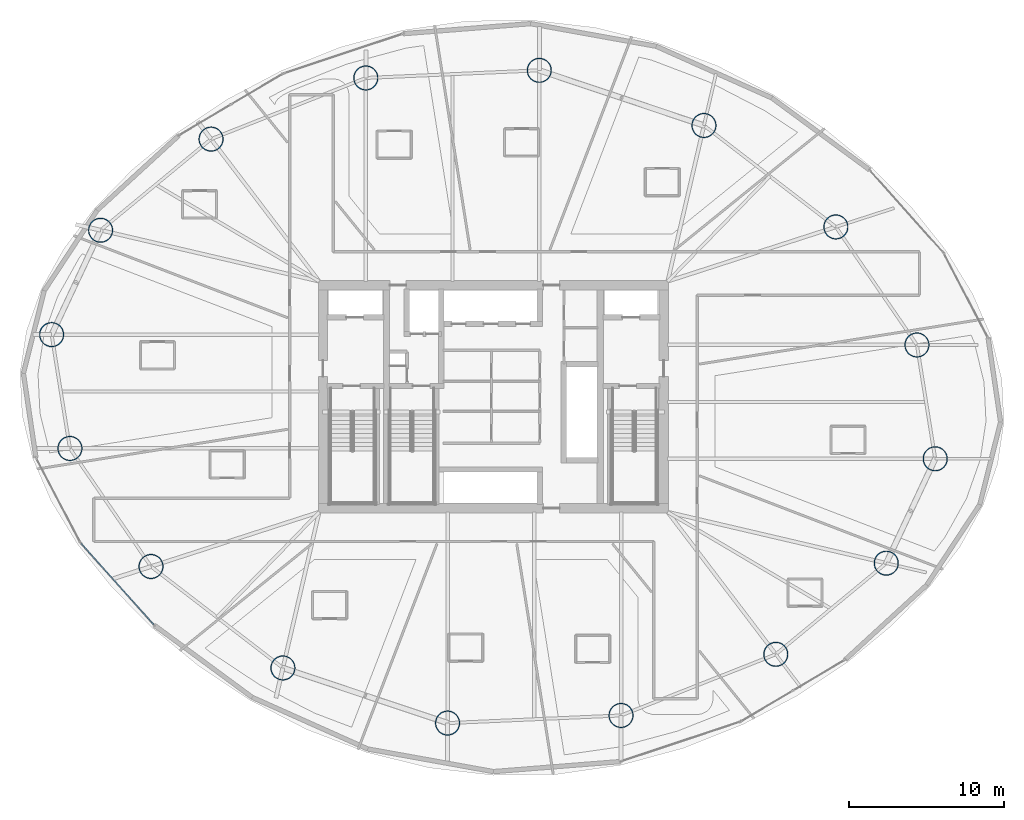
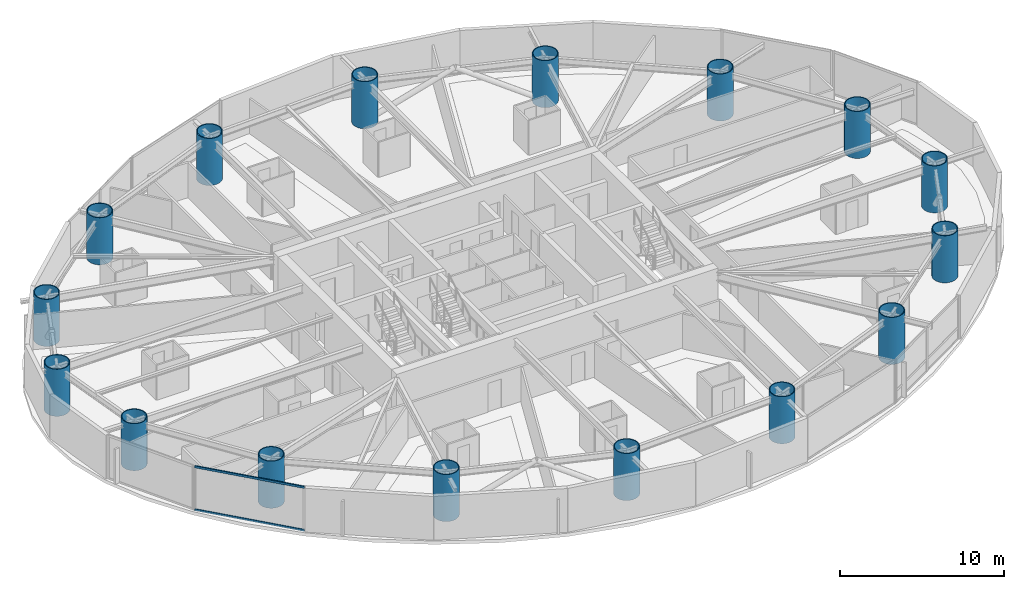
# One storey, part 1 of 25: 16 columns, 2 members, 1 element without a shape of its own.
"""IFC4 building model written with IfcOpenShell, lengths in metres."""

from ifc_helpers import new_model, si_unit, direction, frame, origin, origin_2d, place, context, subcontext, project, spatial, hollow_rectangle, hollow_circle, extrude, material, layer, layer_set, material_profile, profile_set, type_object, element, aggregate, save


model = new_model("IFC4")

# Units and contexts
model_context = context("Model", 3, precision=1e-05, world=origin(), true_north=direction((0.0, 1.0)))
body_context = subcontext(model_context, "Body", "Model", "MODEL_VIEW")
ifc_project = project(units=[si_unit("LENGTHUNIT", "METRE"), si_unit("AREAUNIT", "SQUARE_METRE"), si_unit("VOLUMEUNIT", "CUBIC_METRE"), si_unit("PLANEANGLEUNIT", "RADIAN"), si_unit("MASSUNIT", "GRAM", prefix="KILO")], contexts=[model_context])

# Site, building, storey
site_placement = place(None, origin())
site = spatial("IfcSite", under=ifc_project, at=site_placement, CompositionType="ELEMENT")
building_placement = place(site_placement, origin())
building = spatial("IfcBuilding", under=site, at=building_placement, Name="Bramvorn Convention Spire", CompositionType="ELEMENT")
storey_placement = place(building_placement, frame((0.0, 0.0, 48.39990234375)))
storey = spatial("IfcBuildingStorey", under=building, at=storey_placement, Name="L09", CompositionType="ELEMENT", Elevation=48.39990234375)

# Columns
ifc_material_1 = material(Name="Steel CSA G40.21 Grade 350 (350W)", Category="steel")
ifc_material_profile_1 = material_profile(ifc_material_1, hollow_circle(Radius=0.800048828125, WallThickness=0.06005859375, at=origin_2d()))
ifc_profile_set_1 = profile_set([ifc_material_profile_1], Name="Steel CSA G40.21 Grade 350 (350W) - CFT1600X60")
column_type = type_object("IfcColumnType", Name="COL-CFT1600X60", PredefinedType="COLUMN", material=ifc_profile_set_1)
for number, where, z_axis, x_axis, name in (
    (1, (66.519775390625, 21.99169921875, 0.0), (0.0, 0.0, 1.0), (1.0, 0.0, 0.0), "L09 composite CFT mega-column MC01"),
    (2, (65.338623046875, 29.340087890625, 0.0), (0.0, 0.0, 1.0), (1.0, 0.0, 0.0), "L09 composite CFT mega-column MC02"),
    (3, (60.105224609375, 36.960205078125, 0.0), (0.0, 0.0, 1.0), (1.0, 0.0, 0.0), "L09 composite CFT mega-column MC03"),
    (4, (51.59033203125, 43.509033203125, 0.0), (0.0, 0.0, 1.0), (1.0, 0.0, 0.0), "L09 composite CFT mega-column MC04"),
    (5, (40.9609375, 47.06884765625, 0.0), (0.0, 0.0, 1.0), (1.0, 0.0, 0.0), "L09 composite CFT mega-column MC05"),
    (6, (29.76220703125, 46.57666015625, 0.0), (0.0, 0.0, 1.0), (1.0, 0.0, 0.0), "L09 composite CFT mega-column MC06"),
    (7, (19.772216796875, 42.628662109375, 0.0), (0.0, 0.0, 1.0), (1.0, 0.0, 0.0), "L09 composite CFT mega-column MC07"),
    (8, (12.64111328125, 36.746337890625, 0.0), (0.0, 0.0, 1.0), (1.0, 0.0, 0.0), "L09 composite CFT mega-column MC08"),
    (9, (9.480224609375, 30.00830078125, 0.0), (0.0, 0.0, 1.0), (1.0, 0.0, 0.0), "L09 composite CFT mega-column MC09"),
    (10, (10.661376953125, 22.659912109375, 0.0), (0.0, 0.0, 1.0), (1.0, 0.0, 0.0), "L09 composite CFT mega-column MC10"),
    (11, (15.894775390625, 15.039794921875, 0.0), (0.0, 0.0, 1.0), (1.0, 0.0, 0.0), "L09 composite CFT mega-column MC11"),
    (12, (24.40966796875, 8.490966796875, 0.0), (0.0, 0.0, 1.0), (1.0, 0.0, 0.0), "L09 composite CFT mega-column MC12"),
    (13, (35.0390625, 4.93115234375, 0.0), (0.0, 0.0, 1.0), (1.0, 0.0, 0.0), "L09 composite CFT mega-column MC13"),
    (14, (46.23779296875, 5.42333984375, 0.0), (0.0, 0.0, 1.0), (1.0, 0.0, 0.0), "L09 composite CFT mega-column MC14"),
    (15, (56.227783203125, 9.371337890625, 0.0), (0.0, 0.0, 1.0), (1.0, 0.0, 0.0), "L09 composite CFT mega-column MC15"),
    (16, (63.35888671875, 15.253662109375, 0.0), (0.0, 0.0, 1.0), (1.0, 0.0, 0.0), "L09 composite CFT mega-column MC16"),
):
    element("IfcColumn", number, at=place(storey_placement, frame(where, z_axis=z_axis, x_axis=x_axis)), inside=storey, type_object=column_type, Name=name, PredefinedType="COLUMN", context=body_context, shape_type="SweptSolid", body=[
        extrude(hollow_circle(Radius=0.800048828125, WallThickness=0.06005859375, at=origin_2d()), origin(), (0.0, 0.0, 1.0), 3.5),
    ])

# Curtain wall, members
ifc_material_2 = material(Name="Anodised Bronze Unitised Curtain Wall", Category="aluminium")
ifc_layer = layer(ifc_material_2, 0.179931640625)
ifc_layer_set = layer_set([ifc_layer], Name="Anodised Bronze Unitised Curtain Wall - CW-HTL-FRIT")
curtain_wall_type = type_object("IfcCurtainWallType", Name="CW-HTL-FRIT", PredefinedType="USERDEFINED", material=ifc_layer_set)
curtain_wall_placement = place(storey_placement, origin())
curtain_wall = element("IfcCurtainWall", 17, at=curtain_wall_placement, inside=storey, type_object=curtain_wall_type, Name="L09 fritted glass curtain wall 15", ObjectType="UNITISED CURTAIN WALL", PredefinedType="USERDEFINED")
ifc_material_3 = material(Name="Anodised Bronze Aluminium 6063-T6", Category="aluminium")
ifc_material_profile_2 = material_profile(ifc_material_3, hollow_rectangle(XDim=0.080078125, YDim=0.159912109375, WallThickness=0.00390625, InnerFilletRadius=0.0009765625, OuterFilletRadius=0.00390625, at=origin_2d()))
ifc_profile_set_2 = profile_set([ifc_material_profile_2], Name="Anodised Bronze Aluminium 6063-T6 - CWT80X160")
member_type = type_object("IfcMemberType", Name="CW-TRN-150", PredefinedType="USERDEFINED", material=ifc_profile_set_2)
member_1_placement = place(storey_placement, frame((16.06884765625, 11.2900390625, 0.030029296875), z_axis=(-0.66636388349, 0.745626699348, 0.0), x_axis=(-0.745626699348, -0.66636388349, 0.0)))
member_1 = element("IfcMember", 18, at=member_1_placement, type_object=member_type, Name="CW2 transom 1.1", ObjectType="TRANSOM", PredefinedType="USERDEFINED", context=body_context, shape_type="SweptSolid", body=[
    extrude(hollow_rectangle(XDim=0.080078125, YDim=0.159912109375, WallThickness=0.00390625, InnerFilletRadius=0.0009765625, OuterFilletRadius=0.00390625, at=origin_2d()), origin(), (0.0, 0.0, 1.0), 7.022705078125),
])
member_2_placement = place(storey_placement, frame((16.06884765625, 11.2900390625, 3.22021484375), z_axis=(-0.66636388349, 0.745626699348, 0.0), x_axis=(-0.745626699348, -0.66636388349, 0.0)))
member_2 = element("IfcMember", 19, at=member_2_placement, type_object=member_type, Name="CW2 transom 1.2", ObjectType="TRANSOM", PredefinedType="USERDEFINED", context=body_context, shape_type="SweptSolid", body=[
    extrude(hollow_rectangle(XDim=0.080078125, YDim=0.159912109375, WallThickness=0.00390625, InnerFilletRadius=0.0009765625, OuterFilletRadius=0.00390625, at=origin_2d()), origin(), (0.0, 0.0, 1.0), 7.022705078125),
])
aggregate(curtain_wall, [member_1, member_2])

save(model, "model.ifc")
